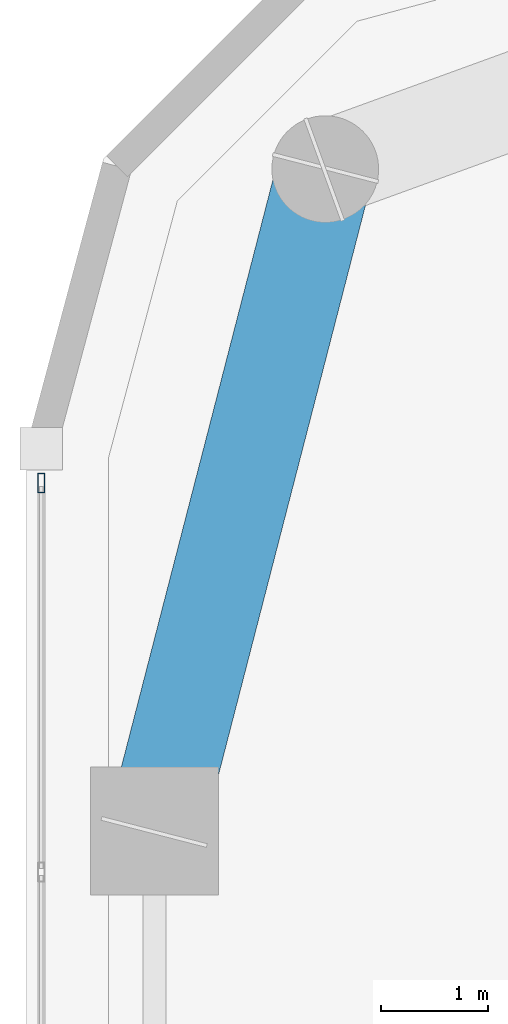
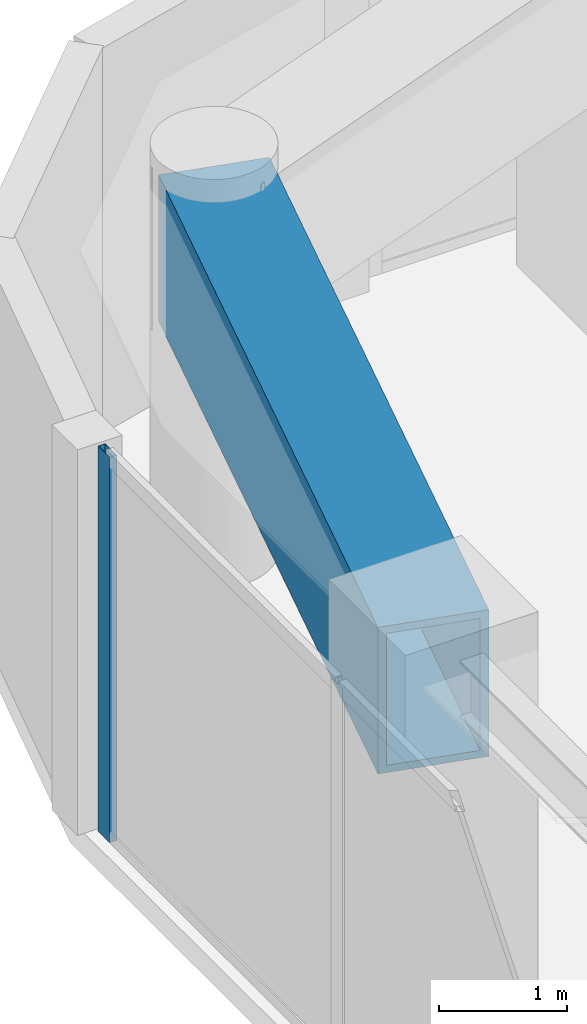
# One storey, part 15 of 30: 1 beam, 1 member, 1 element without a shape of its own.
"""IFC4 building model written with IfcOpenShell, lengths in metres."""

from ifc_helpers import new_model, si_unit, direction, frame, origin, origin_2d, place, context, subcontext, project, spatial, hollow_rectangle, extrude, material, layer, layer_set, material_profile, profile_set, type_object, element, aggregate, save


model = new_model("IFC4")

# Units and contexts
model_context = context("Model", 3, precision=1e-05, world=origin(), true_north=direction((0.0, 1.0)))
body_context = subcontext(model_context, "Body", "Model", "MODEL_VIEW")
ifc_project = project(units=[si_unit("LENGTHUNIT", "METRE"), si_unit("AREAUNIT", "SQUARE_METRE"), si_unit("VOLUMEUNIT", "CUBIC_METRE"), si_unit("PLANEANGLEUNIT", "RADIAN"), si_unit("MASSUNIT", "GRAM", prefix="KILO")], contexts=[model_context])

# Site, building, storey
site_placement = place(None, origin())
site = spatial("IfcSite", under=ifc_project, at=site_placement, CompositionType="ELEMENT")
building_placement = place(site_placement, origin())
building = spatial("IfcBuilding", under=site, at=building_placement, Name="Kiyonajd Concourse Tower", CompositionType="ELEMENT")
storey_placement = place(building_placement, frame((0.0, 0.0, 170.10009765625)))
storey = spatial("IfcBuildingStorey", under=building, at=storey_placement, Name="L43", CompositionType="ELEMENT", Elevation=170.10009765625)

# Beam
ifc_material_1 = material(Name="Steel ASTM A572 Grade 50", Category="steel")
ifc_material_profile_1 = material_profile(ifc_material_1, hollow_rectangle(XDim=0.89990234375, YDim=1.39990234375, WallThickness=0.070068359375, at=origin_2d()), Name="BOX-1400x900x70")
ifc_profile_set_1 = profile_set([ifc_material_profile_1], Name="Steel ASTM A572 Grade 50")
beam_type = type_object("IfcBeamType", Name="BM-XFER-1400", PredefinedType="BEAM", material=ifc_profile_set_1)
beam_placement = place(storey_placement, frame((20.800048828125, 59.60009765625, 2.97998046875), z_axis=(-0.249884937687, -0.968275538221, 0.0), x_axis=(0.968275538221, -0.249884937687, 0.0)))
element("IfcBeam", 1, at=beam_placement, inside=storey, type_object=beam_type, Name="L43 Perimeter Bundled Tube Spandrel", PredefinedType="BEAM", context=body_context, shape_type="SweptSolid", body=[
    extrude(hollow_rectangle(XDim=0.89990234375, YDim=1.39990234375, WallThickness=0.070068359375, at=origin_2d()), origin(), (0.0, 0.0, 1.0), 6.4033203125),
])

# Curtain wall, member
ifc_material_2 = material(Name="Thermally Broken Anodised Aluminium", Category="aluminium")
ifc_layer = layer(ifc_material_2, 0.179931640625)
ifc_layer_set = layer_set([ifc_layer], Name="Thermally Broken Anodised Aluminium")
curtain_wall_type = type_object("IfcCurtainWallType", Name="CW-SYS-03", PredefinedType="NOTDEFINED", material=ifc_layer_set)
curtain_wall_placement = place(storey_placement, origin())
curtain_wall = element("IfcCurtainWall", 2, at=curtain_wall_placement, inside=storey, type_object=curtain_wall_type, Name="L43 Unitised Curtain Wall CW3", PredefinedType="NOTDEFINED")
ifc_material_profile_2 = material_profile(ifc_material_2, hollow_rectangle(XDim=0.06494140625, YDim=0.179931640625, WallThickness=0.00390625, at=origin_2d()), Name="MULL-65x180")
ifc_profile_set_2 = profile_set([ifc_material_profile_2], Name="Thermally Broken Anodised Aluminium")
member_type = type_object("IfcMemberType", Name="MB-CW-MULL1", PredefinedType="MULLION", material=ifc_profile_set_2)
member_placement = place(storey_placement, frame((18.139892578125, 56.6591796875, 0.0), z_axis=(0.0, 0.0, 1.0), x_axis=(-1.0, 0.0, 0.0)))
member = element("IfcMember", 3, at=member_placement, type_object=member_type, Name="CW3 mullion 7", PredefinedType="MULLION", context=body_context, shape_type="SweptSolid", body=[
    extrude(hollow_rectangle(XDim=0.06494140625, YDim=0.179931640625, WallThickness=0.00390625, at=origin_2d()), origin(), (0.0, 0.0, 1.0), 3.679931640625),
])
aggregate(curtain_wall, [member])

save(model, "model.ifc")
